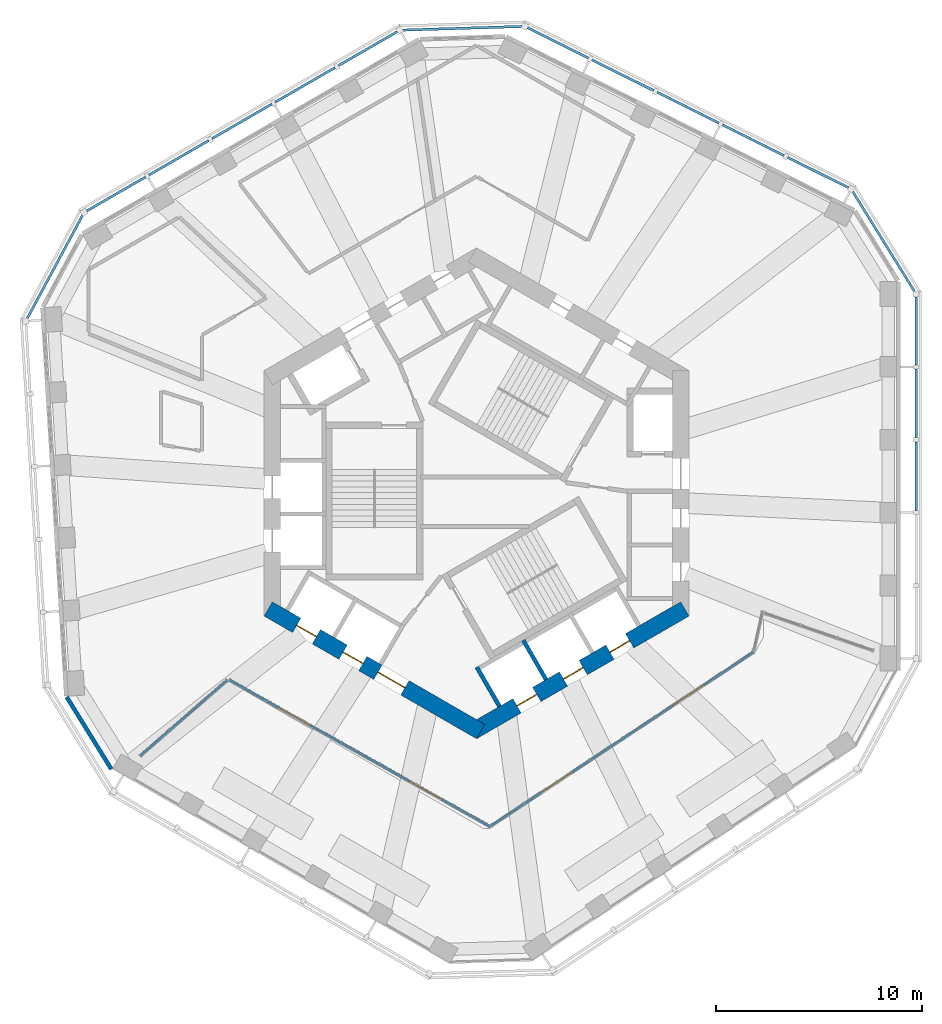
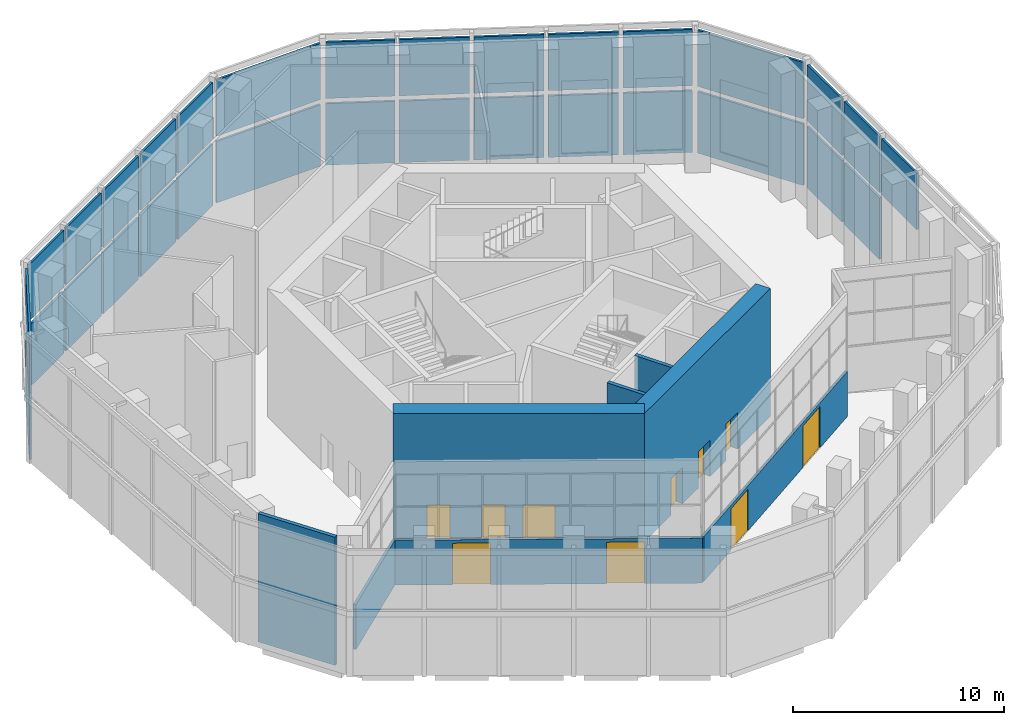
# One storey, part 8 of 17: 31 plates, 10 doors, 8 walls, 10 openings, 6 elements without a shape of their own.
"""IFC4 building model written with IfcOpenShell, lengths in metres."""

from ifc_helpers import new_model, si_unit, direction, frame, frame_2d, origin, origin_2d, place, context, subcontext, project, spatial, rectangle, extrude, material, layer, layer_set, type_object, element, fill, aggregate, save


model = new_model("IFC4")

# Units and contexts
model_context = context("Model", 3, precision=1e-05, world=origin(), true_north=direction((0.0, 1.0)))
body_context = subcontext(model_context, "Body", "Model", "MODEL_VIEW")
ifc_project = project(units=[si_unit("LENGTHUNIT", "METRE"), si_unit("AREAUNIT", "SQUARE_METRE"), si_unit("VOLUMEUNIT", "CUBIC_METRE"), si_unit("PLANEANGLEUNIT", "RADIAN"), si_unit("MASSUNIT", "GRAM", prefix="KILO")], contexts=[model_context])

# Site, building, storey
site_placement = place(None, origin())
site = spatial("IfcSite", under=ifc_project, at=site_placement, CompositionType="ELEMENT")
building_placement = place(site_placement, origin())
building = spatial("IfcBuilding", under=site, at=building_placement, Name="Vanh Sen Convention Tower", CompositionType="ELEMENT")
storey_placement = place(building_placement, frame((0.0, 0.0, 214.300048828125)))
storey = spatial("IfcBuildingStorey", under=building, at=storey_placement, Name="L53", CompositionType="ELEMENT", Elevation=214.300048828125)

# Curtain wall, plates
ifc_material_1 = material(Name="Concrete C50/60", Category="concrete")
curtain_wall_type = type_object("IfcCurtainWallType", Name="Outer skin office zone", PredefinedType="NOTDEFINED", material=ifc_material_1)
curtain_wall_1_placement = place(storey_placement, origin())
curtain_wall_1 = element("IfcCurtainWall", 1, at=curtain_wall_1_placement, inside=storey, type_object=curtain_wall_type, Name="OUTER SKIN E L53", PredefinedType="NOTDEFINED")
ifc_layer_1 = layer(ifc_material_1, 0.1201171875)
ifc_layer_set_1 = layer_set([ifc_layer_1], Name="Concrete C50/60")
plate_type = type_object("IfcPlateType", Name="Outer skin precast screen panel 120", PredefinedType="CURTAIN_PANEL", material=ifc_layer_set_1)
plate_1_placement = place(storey_placement, frame((21.300048828125, 0.831298828125, 3.849853515625), z_axis=(0.0, 0.0, 1.0), x_axis=(0.0, 1.0, 0.0)))
plate_1 = element("IfcPlate", 2, at=plate_1_placement, type_object=plate_type, Name="OUTER SKIN screen panel E-3", PredefinedType="CURTAIN_PANEL", context=body_context, shape_type="SweptSolid", body=[
    extrude(rectangle(XDim=3.33349609375, YDim=0.1201171875, at=origin_2d()), origin(), (0.0, 0.0, 1.0), 3.25),
])
plate_2_placement = place(storey_placement, frame((21.300048828125, 4.364990234375, 0.0), z_axis=(0.0, 0.0, 1.0), x_axis=(0.0, 1.0, 0.0)))
plate_2 = element("IfcPlate", 3, at=plate_2_placement, type_object=plate_type, Name="OUTER SKIN screen panel E-4", PredefinedType="CURTAIN_PANEL", context=body_context, shape_type="SweptSolid", body=[
    extrude(rectangle(XDim=3.33349609375, YDim=0.1201171875, at=origin_2d()), origin(), (0.0, 0.0, 1.0), 3.550048828125),
])
plate_3_placement = place(storey_placement, frame((21.300048828125, 4.364990234375, 3.849853515625), z_axis=(0.0, 0.0, 1.0), x_axis=(0.0, 1.0, 0.0)))
plate_3 = element("IfcPlate", 4, at=plate_3_placement, type_object=plate_type, Name="OUTER SKIN screen panel E-4", PredefinedType="CURTAIN_PANEL", context=body_context, shape_type="SweptSolid", body=[
    extrude(rectangle(XDim=3.33349609375, YDim=0.1201171875, at=origin_2d()), origin(), (0.0, 0.0, 1.0), 3.25),
])
plate_4_placement = place(storey_placement, frame((21.300048828125, 7.87353515625, 0.0), z_axis=(0.0, 0.0, 1.0), x_axis=(0.0, 1.0, 0.0)))
plate_4 = element("IfcPlate", 5, at=plate_4_placement, type_object=plate_type, Name="OUTER SKIN screen panel E-5", PredefinedType="CURTAIN_PANEL", context=body_context, shape_type="SweptSolid", body=[
    extrude(rectangle(XDim=3.28369140625, YDim=0.1201171875, at=origin_2d()), origin(), (0.0, 0.0, 1.0), 3.550048828125),
])
plate_5_placement = place(storey_placement, frame((21.300048828125, 7.87353515625, 3.849853515625), z_axis=(0.0, 0.0, 1.0), x_axis=(0.0, 1.0, 0.0)))
plate_5 = element("IfcPlate", 6, at=plate_5_placement, type_object=plate_type, Name="OUTER SKIN screen panel E-5", PredefinedType="CURTAIN_PANEL", context=body_context, shape_type="SweptSolid", body=[
    extrude(rectangle(XDim=3.28369140625, YDim=0.1201171875, at=origin_2d()), origin(), (0.0, 0.0, 1.0), 3.25),
])
aggregate(curtain_wall_1, [plate_1, plate_2, plate_3, plate_4, plate_5])

curtain_wall_2_placement = place(storey_placement, origin())
curtain_wall_2 = element("IfcCurtainWall", 7, at=curtain_wall_2_placement, inside=storey, type_object=curtain_wall_type, Name="OUTER SKIN CH1 L53", PredefinedType="NOTDEFINED")
plate_6_placement = place(storey_placement, frame((19.726806640625, 12.20751953125, 0.0), z_axis=(0.0, 0.0, 1.0), x_axis=(-0.526216891938, 0.850350388157, 0.0)))
plate_6 = element("IfcPlate", 8, at=plate_6_placement, type_object=plate_type, Name="OUTER SKIN screen panel CH1-1", PredefinedType="CURTAIN_PANEL", context=body_context, shape_type="SweptSolid", body=[
    extrude(rectangle(XDim=5.6787109375, YDim=0.1201171875, at=origin_2d()), origin(), (0.0, 0.0, 1.0), 3.550048828125),
])
plate_7_placement = place(storey_placement, frame((19.726806640625, 12.20751953125, 3.849853515625), z_axis=(0.0, 0.0, 1.0), x_axis=(-0.526216891938, 0.850350388157, 0.0)))
plate_7 = element("IfcPlate", 9, at=plate_7_placement, type_object=plate_type, Name="OUTER SKIN screen panel CH1-1", PredefinedType="CURTAIN_PANEL", context=body_context, shape_type="SweptSolid", body=[
    extrude(rectangle(XDim=5.6787109375, YDim=0.1201171875, at=origin_2d()), origin(), (0.0, 0.0, 1.0), 3.25),
])
aggregate(curtain_wall_2, [plate_6, plate_7])

curtain_wall_3_placement = place(storey_placement, origin())
curtain_wall_3 = element("IfcCurtainWall", 10, at=curtain_wall_3_placement, inside=storey, type_object=curtain_wall_type, Name="OUTER SKIN NE L53", PredefinedType="NOTDEFINED")
plate_8_placement = place(storey_placement, frame((16.55029296875, 15.549072265625, 0.0), z_axis=(0.0, 0.0, 1.0), x_axis=(-0.894930467757, 0.446205622868, 0.0)))
plate_8 = element("IfcPlate", 11, at=plate_8_placement, type_object=plate_type, Name="OUTER SKIN screen panel NE-1", PredefinedType="CURTAIN_PANEL", context=body_context, shape_type="SweptSolid", body=[
    extrude(rectangle(XDim=3.28369140625, YDim=0.1201171875, at=origin_2d()), origin(), (0.0, 0.0, 1.0), 3.550048828125),
])
plate_9_placement = place(storey_placement, frame((16.55029296875, 15.549072265625, 3.849853515625), z_axis=(0.0, 0.0, 1.0), x_axis=(-0.894930467757, 0.446205622868, 0.0)))
plate_9 = element("IfcPlate", 12, at=plate_9_placement, type_object=plate_type, Name="OUTER SKIN screen panel NE-1", PredefinedType="CURTAIN_PANEL", context=body_context, shape_type="SweptSolid", body=[
    extrude(rectangle(XDim=3.28369140625, YDim=0.1201171875, at=origin_2d()), origin(), (0.0, 0.0, 1.0), 3.25),
])
plate_10_placement = place(storey_placement, frame((13.410400390625, 17.114501953125, 0.0), z_axis=(0.0, 0.0, 1.0), x_axis=(-0.894935919121, 0.446194689197, 0.0)))
plate_10 = element("IfcPlate", 13, at=plate_10_placement, type_object=plate_type, Name="OUTER SKIN screen panel NE-2", PredefinedType="CURTAIN_PANEL", context=body_context, shape_type="SweptSolid", body=[
    extrude(rectangle(XDim=3.333740234375, YDim=0.1201171875, at=origin_2d()), origin(), (0.0, 0.0, 1.0), 3.550048828125),
])
plate_11_placement = place(storey_placement, frame((13.410400390625, 17.114501953125, 3.849853515625), z_axis=(0.0, 0.0, 1.0), x_axis=(-0.894935919121, 0.446194689197, 0.0)))
plate_11 = element("IfcPlate", 14, at=plate_11_placement, type_object=plate_type, Name="OUTER SKIN screen panel NE-2", PredefinedType="CURTAIN_PANEL", context=body_context, shape_type="SweptSolid", body=[
    extrude(rectangle(XDim=3.333740234375, YDim=0.1201171875, at=origin_2d()), origin(), (0.0, 0.0, 1.0), 3.25),
])
plate_12_placement = place(storey_placement, frame((10.248046875, 18.691162109375, 0.0), z_axis=(0.0, 0.0, 1.0), x_axis=(-0.894935919121, 0.446194689197, 0.0)))
plate_12 = element("IfcPlate", 15, at=plate_12_placement, type_object=plate_type, Name="OUTER SKIN screen panel NE-3", PredefinedType="CURTAIN_PANEL", context=body_context, shape_type="SweptSolid", body=[
    extrude(rectangle(XDim=3.333740234375, YDim=0.1201171875, at=origin_2d()), origin(), (0.0, 0.0, 1.0), 3.550048828125),
])
plate_13_placement = place(storey_placement, frame((10.248046875, 18.691162109375, 3.849853515625), z_axis=(0.0, 0.0, 1.0), x_axis=(-0.894935919121, 0.446194689197, 0.0)))
plate_13 = element("IfcPlate", 16, at=plate_13_placement, type_object=plate_type, Name="OUTER SKIN screen panel NE-3", PredefinedType="CURTAIN_PANEL", context=body_context, shape_type="SweptSolid", body=[
    extrude(rectangle(XDim=3.333740234375, YDim=0.1201171875, at=origin_2d()), origin(), (0.0, 0.0, 1.0), 3.25),
])
plate_14_placement = place(storey_placement, frame((7.085693359375, 20.267822265625, 0.0), z_axis=(0.0, 0.0, 1.0), x_axis=(-0.894935919121, 0.446194689197, 0.0)))
plate_14 = element("IfcPlate", 17, at=plate_14_placement, type_object=plate_type, Name="OUTER SKIN screen panel NE-4", PredefinedType="CURTAIN_PANEL", context=body_context, shape_type="SweptSolid", body=[
    extrude(rectangle(XDim=3.333740234375, YDim=0.1201171875, at=origin_2d()), origin(), (0.0, 0.0, 1.0), 3.550048828125),
])
plate_15_placement = place(storey_placement, frame((7.085693359375, 20.267822265625, 3.849853515625), z_axis=(0.0, 0.0, 1.0), x_axis=(-0.894935919121, 0.446194689197, 0.0)))
plate_15 = element("IfcPlate", 18, at=plate_15_placement, type_object=plate_type, Name="OUTER SKIN screen panel NE-4", PredefinedType="CURTAIN_PANEL", context=body_context, shape_type="SweptSolid", body=[
    extrude(rectangle(XDim=3.333740234375, YDim=0.1201171875, at=origin_2d()), origin(), (0.0, 0.0, 1.0), 3.25),
])
plate_16_placement = place(storey_placement, frame((3.945556640625, 21.83349609375, 0.0), z_axis=(0.0, 0.0, 1.0), x_axis=(-0.894930467757, 0.446205622868, 0.0)))
plate_16 = element("IfcPlate", 19, at=plate_16_placement, type_object=plate_type, Name="OUTER SKIN screen panel NE-5", PredefinedType="CURTAIN_PANEL", context=body_context, shape_type="SweptSolid", body=[
    extrude(rectangle(XDim=3.28369140625, YDim=0.1201171875, at=origin_2d()), origin(), (0.0, 0.0, 1.0), 3.550048828125),
])
plate_17_placement = place(storey_placement, frame((3.945556640625, 21.83349609375, 3.849853515625), z_axis=(0.0, 0.0, 1.0), x_axis=(-0.894930467757, 0.446205622868, 0.0)))
plate_17 = element("IfcPlate", 20, at=plate_17_placement, type_object=plate_type, Name="OUTER SKIN screen panel NE-5", PredefinedType="CURTAIN_PANEL", context=body_context, shape_type="SweptSolid", body=[
    extrude(rectangle(XDim=3.28369140625, YDim=0.1201171875, at=origin_2d()), origin(), (0.0, 0.0, 1.0), 3.25),
])
aggregate(curtain_wall_3, [plate_8, plate_9, plate_10, plate_11, plate_12, plate_13, plate_14, plate_15, plate_16, plate_17])

curtain_wall_4_placement = place(storey_placement, origin())
curtain_wall_4 = element("IfcCurtainWall", 21, at=curtain_wall_4_placement, inside=storey, type_object=curtain_wall_type, Name="OUTER SKIN CH2 L53", PredefinedType="NOTDEFINED")
plate_18_placement = place(storey_placement, frame((-0.688720703125, 22.540283203125, 0.0), z_axis=(0.0, 0.0, 1.0), x_axis=(-0.999533430924, -0.030543746755, 0.0)))
plate_18 = element("IfcPlate", 22, at=plate_18_placement, type_object=plate_type, Name="OUTER SKIN screen panel CH2-1", PredefinedType="CURTAIN_PANEL", context=body_context, shape_type="SweptSolid", body=[
    extrude(rectangle(XDim=5.764404296875, YDim=0.1201171875, at=origin_2d()), origin(), (0.0, 0.0, 1.0), 3.550048828125),
])
plate_19_placement = place(storey_placement, frame((-0.688720703125, 22.540283203125, 3.849853515625), z_axis=(0.0, 0.0, 1.0), x_axis=(-0.999533430924, -0.030543746755, 0.0)))
plate_19 = element("IfcPlate", 23, at=plate_19_placement, type_object=plate_type, Name="OUTER SKIN screen panel CH2-1", PredefinedType="CURTAIN_PANEL", context=body_context, shape_type="SweptSolid", body=[
    extrude(rectangle(XDim=5.764404296875, YDim=0.1201171875, at=origin_2d()), origin(), (0.0, 0.0, 1.0), 3.25),
])
aggregate(curtain_wall_4, [plate_18, plate_19])

curtain_wall_5_placement = place(storey_placement, origin())
curtain_wall_5 = element("IfcCurtainWall", 24, at=curtain_wall_5_placement, inside=storey, type_object=curtain_wall_type, Name="OUTER SKIN NW L53", PredefinedType="NOTDEFINED")
plate_20_placement = place(storey_placement, frame((-5.271240234375, 21.5517578125, 0.0), z_axis=(0.0, 0.0, 1.0), x_axis=(-0.866026276448, -0.4999984885, 0.0)))
plate_20 = element("IfcPlate", 25, at=plate_20_placement, type_object=plate_type, Name="OUTER SKIN screen panel NW-1", PredefinedType="CURTAIN_PANEL", context=body_context, shape_type="SweptSolid", body=[
    extrude(rectangle(XDim=3.28369140625, YDim=0.1201171875, at=origin_2d()), origin(), (0.0, 0.0, 1.0), 3.550048828125),
])
plate_21_placement = place(storey_placement, frame((-5.271240234375, 21.5517578125, 3.849853515625), z_axis=(0.0, 0.0, 1.0), x_axis=(-0.866026276448, -0.4999984885, 0.0)))
plate_21 = element("IfcPlate", 26, at=plate_21_placement, type_object=plate_type, Name="OUTER SKIN screen panel NW-1", PredefinedType="CURTAIN_PANEL", context=body_context, shape_type="SweptSolid", body=[
    extrude(rectangle(XDim=3.28369140625, YDim=0.1201171875, at=origin_2d()), origin(), (0.0, 0.0, 1.0), 3.25),
])
plate_22_placement = place(storey_placement, frame((-8.309814453125, 19.797607421875, 0.0), z_axis=(0.0, 0.0, 1.0), x_axis=(-0.866026276448, -0.4999984885, 0.0)))
plate_22 = element("IfcPlate", 27, at=plate_22_placement, type_object=plate_type, Name="OUTER SKIN screen panel NW-2", PredefinedType="CURTAIN_PANEL", context=body_context, shape_type="SweptSolid", body=[
    extrude(rectangle(XDim=3.33349609375, YDim=0.1201171875, at=origin_2d()), origin(), (0.0, 0.0, 1.0), 3.550048828125),
])
plate_23_placement = place(storey_placement, frame((-8.309814453125, 19.797607421875, 3.849853515625), z_axis=(0.0, 0.0, 1.0), x_axis=(-0.866026276448, -0.4999984885, 0.0)))
plate_23 = element("IfcPlate", 28, at=plate_23_placement, type_object=plate_type, Name="OUTER SKIN screen panel NW-2", PredefinedType="CURTAIN_PANEL", context=body_context, shape_type="SweptSolid", body=[
    extrude(rectangle(XDim=3.33349609375, YDim=0.1201171875, at=origin_2d()), origin(), (0.0, 0.0, 1.0), 3.25),
])
plate_24_placement = place(storey_placement, frame((-11.369873046875, 18.03076171875, 0.0), z_axis=(0.0, 0.0, 1.0), x_axis=(-0.866026276448, -0.4999984885, 0.0)))
plate_24 = element("IfcPlate", 29, at=plate_24_placement, type_object=plate_type, Name="OUTER SKIN screen panel NW-3", PredefinedType="CURTAIN_PANEL", context=body_context, shape_type="SweptSolid", body=[
    extrude(rectangle(XDim=3.33349609375, YDim=0.1201171875, at=origin_2d()), origin(), (0.0, 0.0, 1.0), 3.550048828125),
])
plate_25_placement = place(storey_placement, frame((-11.369873046875, 18.03076171875, 3.849853515625), z_axis=(0.0, 0.0, 1.0), x_axis=(-0.866026276448, -0.4999984885, 0.0)))
plate_25 = element("IfcPlate", 30, at=plate_25_placement, type_object=plate_type, Name="OUTER SKIN screen panel NW-3", PredefinedType="CURTAIN_PANEL", context=body_context, shape_type="SweptSolid", body=[
    extrude(rectangle(XDim=3.33349609375, YDim=0.1201171875, at=origin_2d()), origin(), (0.0, 0.0, 1.0), 3.25),
])
plate_26_placement = place(storey_placement, frame((-14.43017578125, 16.263916015625, 0.0), z_axis=(0.0, 0.0, 1.0), x_axis=(-0.866014058921, -0.500019649364, 0.0)))
plate_26 = element("IfcPlate", 31, at=plate_26_placement, type_object=plate_type, Name="OUTER SKIN screen panel NW-4", PredefinedType="CURTAIN_PANEL", context=body_context, shape_type="SweptSolid", body=[
    extrude(rectangle(XDim=3.333740234375, YDim=0.1201171875, at=origin_2d()), origin(), (0.0, 0.0, 1.0), 3.550048828125),
])
plate_27_placement = place(storey_placement, frame((-14.43017578125, 16.263916015625, 3.849853515625), z_axis=(0.0, 0.0, 1.0), x_axis=(-0.866014058921, -0.500019649364, 0.0)))
plate_27 = element("IfcPlate", 32, at=plate_27_placement, type_object=plate_type, Name="OUTER SKIN screen panel NW-4", PredefinedType="CURTAIN_PANEL", context=body_context, shape_type="SweptSolid", body=[
    extrude(rectangle(XDim=3.333740234375, YDim=0.1201171875, at=origin_2d()), origin(), (0.0, 0.0, 1.0), 3.25),
])
plate_28_placement = place(storey_placement, frame((-17.46875, 14.509521484375, 0.0), z_axis=(0.0, 0.0, 1.0), x_axis=(-0.866033257659, -0.499986396443, 0.0)))
plate_28 = element("IfcPlate", 33, at=plate_28_placement, type_object=plate_type, Name="OUTER SKIN screen panel NW-5", PredefinedType="CURTAIN_PANEL", context=body_context, shape_type="SweptSolid", body=[
    extrude(rectangle(XDim=3.28369140625, YDim=0.1201171875, at=origin_2d()), origin(), (0.0, 0.0, 1.0), 3.550048828125),
])
plate_29_placement = place(storey_placement, frame((-17.46875, 14.509521484375, 3.849853515625), z_axis=(0.0, 0.0, 1.0), x_axis=(-0.866033257659, -0.499986396443, 0.0)))
plate_29 = element("IfcPlate", 34, at=plate_29_placement, type_object=plate_type, Name="OUTER SKIN screen panel NW-5", PredefinedType="CURTAIN_PANEL", context=body_context, shape_type="SweptSolid", body=[
    extrude(rectangle(XDim=3.28369140625, YDim=0.1201171875, at=origin_2d()), origin(), (0.0, 0.0, 1.0), 3.25),
])
aggregate(curtain_wall_5, [plate_20, plate_21, plate_22, plate_23, plate_24, plate_25, plate_26, plate_27, plate_28, plate_29])

curtain_wall_6_placement = place(storey_placement, origin())
curtain_wall_6 = element("IfcCurtainWall", 35, at=curtain_wall_6_placement, inside=storey, type_object=curtain_wall_type, Name="OUTER SKIN CH3 L53", PredefinedType="NOTDEFINED")
plate_30_placement = place(storey_placement, frame((-20.435302734375, 10.980224609375, 0.0), z_axis=(0.0, 0.0, 1.0), x_axis=(-0.473307367584, -0.880897346909, 0.0)))
plate_30 = element("IfcPlate", 36, at=plate_30_placement, type_object=plate_type, Name="OUTER SKIN screen panel CH3-1", PredefinedType="CURTAIN_PANEL", context=body_context, shape_type="SweptSolid", body=[
    extrude(rectangle(XDim=5.6787109375, YDim=0.1201171875, at=origin_2d()), origin(), (0.0, 0.0, 1.0), 3.550048828125),
])
plate_31_placement = place(storey_placement, frame((-20.435302734375, 10.980224609375, 3.849853515625), z_axis=(0.0, 0.0, 1.0), x_axis=(-0.473307367584, -0.880897346909, 0.0)))
plate_31 = element("IfcPlate", 37, at=plate_31_placement, type_object=plate_type, Name="OUTER SKIN screen panel CH3-1", PredefinedType="CURTAIN_PANEL", context=body_context, shape_type="SweptSolid", body=[
    extrude(rectangle(XDim=5.6787109375, YDim=0.1201171875, at=origin_2d()), origin(), (0.0, 0.0, 1.0), 3.25),
])
aggregate(curtain_wall_6, [plate_30, plate_31])

# Wall, openings, doors
ifc_material_2 = material(Name="Concrete C60/75", Category="concrete")
ifc_layer_2 = layer(ifc_material_2, 0.800048828125)
ifc_layer_set_2 = layer_set([ifc_layer_2], Name="Concrete C60/75")
wall_type_1 = type_object("IfcWallType", Name="Core outer wall 800 C60/75", PredefinedType="SHEAR", material=ifc_layer_set_2)
wall_1_placement = place(storey_placement, frame((-10.10009765625, -5.600341796875, 0.0), z_axis=(0.0, 0.0, 1.0), x_axis=(0.866023897231, -0.500002609418, 0.0)))
wall_1 = element("IfcWall", 38, at=wall_1_placement, inside=storey, type_object=wall_type_1, Name="Core wall face SW L53", PredefinedType="SHEAR", context=body_context, shape_type="SweptSolid", body=[
    extrude(rectangle(XDim=11.8935546875, YDim=0.800048828125, at=frame_2d((5.94677734375, 0.0))), origin(), (0.0, 0.0, 1.0), 7.39990234375),
])
opening_1_placement = place(wall_1_placement, frame((6.146728515625, 0.0, 0.0)))
opening_1 = element("IfcOpeningElement", 39, at=opening_1_placement, cuts=wall_1, Name="Opening D53003", PredefinedType="OPENING", context=body_context, shape_type="SweptSolid", body=[
    extrude(rectangle(XDim=1.5, YDim=2.10009765625, at=frame_2d((0.75, 1.050048828125))), frame((0.0, 0.409912109375, 0.0), z_axis=(0.0, -1.0, 0.0), x_axis=(1.0, 0.0, 0.0)), (0.0, 0.0, 1.0), 0.820068359375),
])
opening_2_placement = place(wall_1_placement, frame((1.5966796875, 0.0, 0.0)))
opening_2 = element("IfcOpeningElement", 40, at=opening_2_placement, cuts=wall_1, Name="Opening LD-HR3", PredefinedType="OPENING", context=body_context, shape_type="SweptSolid", body=[
    extrude(rectangle(XDim=1.10009765625, YDim=2.10009765625, at=frame_2d((0.550048828125, 1.050048828125))), frame((0.0, 0.409912109375, 0.0), z_axis=(0.0, -1.0, 0.0), x_axis=(1.0, 0.0, 0.0)), (0.0, 0.0, 1.0), 0.820068359375),
])
opening_3_placement = place(wall_1_placement, frame((4.19677734375, 0.0, 0.0)))
opening_3 = element("IfcOpeningElement", 41, at=opening_3_placement, cuts=wall_1, Name="Opening LD-HR4", PredefinedType="OPENING", context=body_context, shape_type="SweptSolid", body=[
    extrude(rectangle(XDim=1.10009765625, YDim=2.10009765625, at=frame_2d((0.550048828125, 1.050048828125))), frame((0.0, 0.409912109375, 0.0), z_axis=(0.0, -1.0, 0.0), x_axis=(1.0, 0.0, 0.0)), (0.0, 0.0, 1.0), 0.820068359375),
])
ifc_material_3 = material(Name="Stainless steel", Category="steel")
door_type_1 = type_object("IfcDoorType", Name="Lift landing door 1100", OperationType="DOUBLE_DOOR_SLIDING", PredefinedType="DOOR", material=ifc_material_3)
door_1_placement = place(opening_2_placement, origin())
door_1 = element("IfcDoor", 42, at=door_1_placement, inside=storey, type_object=door_type_1, Name="Lift HR3 landing door LD-HR3", OperationType="DOUBLE_DOOR_SLIDING", OverallHeight=2.10009765625, OverallWidth=1.10009765625, PredefinedType="DOOR", context=body_context, shape_type="SweptSolid", body=[
    extrude(rectangle(XDim=1.10009765625, YDim=2.10009765625, at=frame_2d((0.550048828125, 1.050048828125))), frame((0.0, 0.02490234375, 0.0), z_axis=(0.0, -1.0, 0.0), x_axis=(1.0, 0.0, 0.0)), (0.0, 0.0, 1.0), 0.050048828125),
])
fill(opening_2, door_1)
door_2_placement = place(opening_3_placement, origin())
door_2 = element("IfcDoor", 43, at=door_2_placement, inside=storey, type_object=door_type_1, Name="Lift HR4 landing door LD-HR4", OperationType="DOUBLE_DOOR_SLIDING", OverallHeight=2.10009765625, OverallWidth=1.10009765625, PredefinedType="DOOR", context=body_context, shape_type="SweptSolid", body=[
    extrude(rectangle(XDim=1.10009765625, YDim=2.10009765625, at=frame_2d((0.550048828125, 1.050048828125))), frame((0.0, 0.02490234375, 0.0), z_axis=(0.0, -1.0, 0.0), x_axis=(1.0, 0.0, 0.0)), (0.0, 0.0, 1.0), 0.050048828125),
])
fill(opening_3, door_2)
ifc_material_4 = material(Name="Steel S355", Category="steel")
door_type_2 = type_object("IfcDoorType", Name="Stair lobby door 1500", OperationType="DOUBLE_DOOR_SINGLE_SWING", PredefinedType="DOOR", material=ifc_material_4)
door_3_placement = place(opening_1_placement, origin())
door_3 = element("IfcDoor", 44, at=door_3_placement, inside=storey, type_object=door_type_2, Name="Stair lobby door D53003", OperationType="DOUBLE_DOOR_SINGLE_SWING", OverallHeight=2.10009765625, OverallWidth=1.5, PredefinedType="DOOR", context=body_context, shape_type="SweptSolid", body=[
    extrude(rectangle(XDim=1.5, YDim=2.10009765625, at=frame_2d((0.75, 1.050048828125))), frame((0.0, 0.02490234375, 0.0), z_axis=(0.0, -1.0, 0.0), x_axis=(1.0, 0.0, 0.0)), (0.0, 0.0, 1.0), 0.050048828125),
])
fill(opening_1, door_3)

wall_2_placement = place(storey_placement, frame((-0.199951171875, -11.547119140625, 0.0), z_axis=(0.0, 0.0, 1.0), x_axis=(0.866023897231, 0.500002609418, 0.0)))
wall_2 = element("IfcWall", 45, at=wall_2_placement, inside=storey, type_object=wall_type_1, Name="Core wall face SE L53", PredefinedType="SHEAR", context=body_context, shape_type="SweptSolid", body=[
    extrude(rectangle(XDim=11.8935546875, YDim=0.800048828125, at=frame_2d((5.94677734375, 0.0))), origin(), (0.0, 0.0, 1.0), 7.39990234375),
])
opening_4_placement = place(wall_2_placement, frame((2.49658203125, 0.0, 0.0)))
opening_4 = element("IfcOpeningElement", 46, at=opening_4_placement, cuts=wall_2, Name="Opening LD-HR5", PredefinedType="OPENING", context=body_context, shape_type="SweptSolid", body=[
    extrude(rectangle(XDim=1.10009765625, YDim=2.10009765625, at=frame_2d((0.550048828125, 1.050048828125))), frame((0.0, 0.409912109375, 0.0), z_axis=(0.0, -1.0, 0.0), x_axis=(1.0, 0.0, 0.0)), (0.0, 0.0, 1.0), 0.820068359375),
])
opening_5_placement = place(wall_2_placement, frame((5.0966796875, 0.0, 0.0)))
opening_5 = element("IfcOpeningElement", 47, at=opening_5_placement, cuts=wall_2, Name="Opening LD-HR6", PredefinedType="OPENING", context=body_context, shape_type="SweptSolid", body=[
    extrude(rectangle(XDim=1.10009765625, YDim=2.10009765625, at=frame_2d((0.550048828125, 1.050048828125))), frame((0.0, 0.409912109375, 0.0), z_axis=(0.0, -1.0, 0.0), x_axis=(1.0, 0.0, 0.0)), (0.0, 0.0, 1.0), 0.820068359375),
])
opening_6_placement = place(wall_2_placement, frame((7.69677734375, 0.0, 0.0)))
opening_6 = element("IfcOpeningElement", 48, at=opening_6_placement, cuts=wall_2, Name="Opening LD-SV1", PredefinedType="OPENING", context=body_context, shape_type="SweptSolid", body=[
    extrude(rectangle(XDim=1.10009765625, YDim=2.10009765625, at=frame_2d((0.550048828125, 1.050048828125))), frame((0.0, 0.409912109375, 0.0), z_axis=(0.0, -1.0, 0.0), x_axis=(1.0, 0.0, 0.0)), (0.0, 0.0, 1.0), 0.820068359375),
])
door_4_placement = place(opening_4_placement, origin())
door_4 = element("IfcDoor", 49, at=door_4_placement, inside=storey, type_object=door_type_1, Name="Lift HR5 landing door LD-HR5", OperationType="DOUBLE_DOOR_SLIDING", OverallHeight=2.10009765625, OverallWidth=1.10009765625, PredefinedType="DOOR", context=body_context, shape_type="SweptSolid", body=[
    extrude(rectangle(XDim=1.10009765625, YDim=2.10009765625, at=frame_2d((0.550048828125, 1.050048828125))), frame((0.0, 0.02490234375, 0.0), z_axis=(0.0, -1.0, 0.0), x_axis=(1.0, 0.0, 0.0)), (0.0, 0.0, 1.0), 0.050048828125),
])
fill(opening_4, door_4)
door_5_placement = place(opening_5_placement, origin())
door_5 = element("IfcDoor", 50, at=door_5_placement, inside=storey, type_object=door_type_1, Name="Lift HR6 landing door LD-HR6", OperationType="DOUBLE_DOOR_SLIDING", OverallHeight=2.10009765625, OverallWidth=1.10009765625, PredefinedType="DOOR", context=body_context, shape_type="SweptSolid", body=[
    extrude(rectangle(XDim=1.10009765625, YDim=2.10009765625, at=frame_2d((0.550048828125, 1.050048828125))), frame((0.0, 0.02490234375, 0.0), z_axis=(0.0, -1.0, 0.0), x_axis=(1.0, 0.0, 0.0)), (0.0, 0.0, 1.0), 0.050048828125),
])
fill(opening_5, door_5)
door_6_placement = place(opening_6_placement, origin())
door_6 = element("IfcDoor", 51, at=door_6_placement, inside=storey, type_object=door_type_1, Name="Lift SV1 landing door LD-SV1", OperationType="DOUBLE_DOOR_SLIDING", OverallHeight=2.10009765625, OverallWidth=1.10009765625, PredefinedType="DOOR", context=body_context, shape_type="SweptSolid", body=[
    extrude(rectangle(XDim=1.10009765625, YDim=2.10009765625, at=frame_2d((0.550048828125, 1.050048828125))), frame((0.0, 0.02490234375, 0.0), z_axis=(0.0, -1.0, 0.0), x_axis=(1.0, 0.0, 0.0)), (0.0, 0.0, 1.0), 0.050048828125),
])
fill(opening_6, door_6)

# Walls
ifc_material_5 = material(Name="Insulated lightweight infill wall")
ifc_layer_3 = layer(ifc_material_5, 0.199951171875)
ifc_layer_set_3 = layer_set([ifc_layer_3], Name="Insulated lightweight infill wall")
wall_type_2 = type_object("IfcWallType", Name="External wall 200", PredefinedType="STANDARD", material=ifc_layer_set_3)
wall_3_placement = place(storey_placement, frame((-19.872802734375, -9.869140625, 0.0), z_axis=(0.0, 0.0, 1.0), x_axis=(0.526230246673, -0.850342123787, 0.0)))
element("IfcWall", 52, at=wall_3_placement, inside=storey, type_object=wall_type_2, Name="External wall CH4-1 L53", PredefinedType="STANDARD", context=body_context, shape_type="SweptSolid", body=[
    extrude(rectangle(XDim=4.12255859375, YDim=0.199951171875, at=frame_2d((2.061279296875, 0.0))), origin(), (0.0, 0.0, 1.0), 7.39990234375),
])
ifc_material_6 = material(Name="Concrete C40/50", Category="concrete")
ifc_layer_4 = layer(ifc_material_6, 0.199951171875)
ifc_layer_set_4 = layer_set([ifc_layer_4], Name="Concrete C40/50")
wall_type_3 = type_object("IfcWallType", Name="Lift shaft wall 200", PredefinedType="PARTITIONING", material=ifc_layer_set_4)
for number, where, z_axis, x_axis, name in (
    (53, (0.0126953125, -8.422119140625, 0.0), (0.0, 0.0, 1.0), (0.500077893725, -0.86598042715, 0.0), "Lift shaft wall L53"),
    (54, (2.264404296875, -7.1220703125, 0.0), (0.0, 0.0, 1.0), (0.500077893725, -0.86598042715, 0.0), "Lift shaft wall L53"),
):
    element("IfcWall", number, at=place(storey_placement, frame(where, z_axis=z_axis, x_axis=x_axis)), inside=storey, type_object=wall_type_3, Name=name, PredefinedType="PARTITIONING", context=body_context, shape_type="SweptSolid", body=[
        extrude(rectangle(XDim=2.199951171875, YDim=0.199951171875, at=frame_2d((1.10009765625, 0.0))), origin(), (0.0, 0.0, 1.0), 7.119873046875),
    ])

# Wall, openings, doors
ifc_material_7 = material(Name="Aluminium-framed structural glazing with clear glass", Category="aluminium")
ifc_layer_5 = layer(ifc_material_7, 0.14990234375)
ifc_layer_set_5 = layer_set([ifc_layer_5], Name="Aluminium-framed structural glazing with clear glass")
wall_type_4 = type_object("IfcWallType", Name="Winter garden glazed wall 150", PredefinedType="STANDARD", material=ifc_layer_set_5)
wall_4_placement = place(storey_placement, frame((13.440185546875, -7.68310546875, 0.0), z_axis=(0.0, 0.0, 1.0), x_axis=(-0.833878347594, -0.551948277844, 0.0)))
wall_4 = element("IfcWall", 55, at=wall_4_placement, inside=storey, type_object=wall_type_4, Name="Winter garden wall 3 L53", PredefinedType="STANDARD", context=body_context, shape_type="SweptSolid", body=[
    extrude(rectangle(XDim=15.248779296875, YDim=0.14990234375, at=frame_2d((7.62451171875, 0.0))), origin(), (0.0, 0.0, 1.0), 2.599853515625),
])
opening_7_placement = place(wall_4_placement, frame((2.912109375, 0.0, 0.0)))
opening_7 = element("IfcOpeningElement", 56, at=opening_7_placement, cuts=wall_4, Name="Opening TD531", PredefinedType="OPENING", context=body_context, shape_type="SweptSolid", body=[
    extrude(rectangle(XDim=1.800048828125, YDim=2.39990234375, at=frame_2d((0.89990234375, 1.199951171875))), frame((0.0, 0.0849609375, 0.0), z_axis=(0.0, -1.0, 0.0), x_axis=(1.0, 0.0, 0.0)), (0.0, 0.0, 1.0), 0.169921875),
])
opening_8_placement = place(wall_4_placement, frame((10.53662109375, 0.0, 0.0)))
opening_8 = element("IfcOpeningElement", 57, at=opening_8_placement, cuts=wall_4, Name="Opening TD532", PredefinedType="OPENING", context=body_context, shape_type="SweptSolid", body=[
    extrude(rectangle(XDim=1.800048828125, YDim=2.39990234375, at=frame_2d((0.89990234375, 1.199951171875))), frame((0.0, 0.0849609375, 0.0), z_axis=(0.0, -1.0, 0.0), x_axis=(1.0, 0.0, 0.0)), (0.0, 0.0, 1.0), 0.169921875),
])
ifc_material_8 = material(Name="Aluminium frame with clear toughened glass", Category="aluminium")
door_type_3 = type_object("IfcDoorType", Name="Garden terrace door 1800 x 2400", OperationType="DOUBLE_DOOR_DOUBLE_SWING", PredefinedType="DOOR", material=ifc_material_8)
door_7_placement = place(opening_7_placement, origin())
door_7 = element("IfcDoor", 58, at=door_7_placement, inside=storey, type_object=door_type_3, Name="Garden terrace door TD531", OperationType="DOUBLE_DOOR_DOUBLE_SWING", OverallHeight=2.39990234375, OverallWidth=1.800048828125, PredefinedType="DOOR", context=body_context, shape_type="SweptSolid", body=[
    extrude(rectangle(XDim=1.800048828125, YDim=2.39990234375, at=frame_2d((0.89990234375, 1.199951171875))), frame((0.0, 0.02490234375, 0.0), z_axis=(0.0, -1.0, 0.0), x_axis=(1.0, 0.0, 0.0)), (0.0, 0.0, 1.0), 0.050048828125),
])
fill(opening_7, door_7)
door_8_placement = place(opening_8_placement, origin())
door_8 = element("IfcDoor", 59, at=door_8_placement, inside=storey, type_object=door_type_3, Name="Garden terrace door TD532", OperationType="DOUBLE_DOOR_DOUBLE_SWING", OverallHeight=2.39990234375, OverallWidth=1.800048828125, PredefinedType="DOOR", context=body_context, shape_type="SweptSolid", body=[
    extrude(rectangle(XDim=1.800048828125, YDim=2.39990234375, at=frame_2d((0.89990234375, 1.199951171875))), frame((0.0, 0.02490234375, 0.0), z_axis=(0.0, -1.0, 0.0), x_axis=(1.0, 0.0, 0.0)), (0.0, 0.0, 1.0), 0.050048828125),
])
fill(opening_8, door_8)

wall_5_placement = place(storey_placement, frame((0.690185546875, -16.171142578125, 0.0), z_axis=(0.0, 0.0, 1.0), x_axis=(-0.871655280677, 0.490119446326, 0.0)))
wall_5 = element("IfcWall", 60, at=wall_5_placement, inside=storey, type_object=wall_type_4, Name="Winter garden wall 4 L53", PredefinedType="STANDARD", context=body_context, shape_type="SweptSolid", body=[
    extrude(rectangle(XDim=14.5517578125, YDim=0.14990234375, at=frame_2d((7.27587890625, 0.0))), origin(), (0.0, 0.0, 1.0), 2.599853515625),
])
opening_9_placement = place(wall_5_placement, frame((2.73779296875, 0.0, 0.0)))
opening_9 = element("IfcOpeningElement", 61, at=opening_9_placement, cuts=wall_5, Name="Opening TD533", PredefinedType="OPENING", context=body_context, shape_type="SweptSolid", body=[
    extrude(rectangle(XDim=1.800048828125, YDim=2.39990234375, at=frame_2d((0.89990234375, 1.199951171875))), frame((0.0, 0.0849609375, 0.0), z_axis=(0.0, -1.0, 0.0), x_axis=(1.0, 0.0, 0.0)), (0.0, 0.0, 1.0), 0.169921875),
])
opening_10_placement = place(wall_5_placement, frame((10.013916015625, 0.0, 0.0)))
opening_10 = element("IfcOpeningElement", 62, at=opening_10_placement, cuts=wall_5, Name="Opening TD534", PredefinedType="OPENING", context=body_context, shape_type="SweptSolid", body=[
    extrude(rectangle(XDim=1.800048828125, YDim=2.39990234375, at=frame_2d((0.89990234375, 1.199951171875))), frame((0.0, 0.0849609375, 0.0), z_axis=(0.0, -1.0, 0.0), x_axis=(1.0, 0.0, 0.0)), (0.0, 0.0, 1.0), 0.169921875),
])
door_9_placement = place(opening_9_placement, origin())
door_9 = element("IfcDoor", 63, at=door_9_placement, inside=storey, type_object=door_type_3, Name="Garden terrace door TD533", OperationType="DOUBLE_DOOR_DOUBLE_SWING", OverallHeight=2.39990234375, OverallWidth=1.800048828125, PredefinedType="DOOR", context=body_context, shape_type="SweptSolid", body=[
    extrude(rectangle(XDim=1.800048828125, YDim=2.39990234375, at=frame_2d((0.89990234375, 1.199951171875))), frame((0.0, 0.02490234375, 0.0), z_axis=(0.0, -1.0, 0.0), x_axis=(1.0, 0.0, 0.0)), (0.0, 0.0, 1.0), 0.050048828125),
])
fill(opening_9, door_9)
door_10_placement = place(opening_10_placement, origin())
door_10 = element("IfcDoor", 64, at=door_10_placement, inside=storey, type_object=door_type_3, Name="Garden terrace door TD534", OperationType="DOUBLE_DOOR_DOUBLE_SWING", OverallHeight=2.39990234375, OverallWidth=1.800048828125, PredefinedType="DOOR", context=body_context, shape_type="SweptSolid", body=[
    extrude(rectangle(XDim=1.800048828125, YDim=2.39990234375, at=frame_2d((0.89990234375, 1.199951171875))), frame((0.0, 0.02490234375, 0.0), z_axis=(0.0, -1.0, 0.0), x_axis=(1.0, 0.0, 0.0)), (0.0, 0.0, 1.0), 0.050048828125),
])
fill(opening_10, door_10)

# Wall
wall_6_placement = place(storey_placement, frame((-12.07177734375, -9.047119140625, 0.0), z_axis=(0.0, 0.0, 1.0), x_axis=(-0.754779474902, -0.655978615708, 0.0)))
element("IfcWall", 65, at=wall_6_placement, inside=storey, type_object=wall_type_4, Name="Winter garden wall 5 L53", PredefinedType="STANDARD", context=body_context, shape_type="SweptSolid", body=[
    extrude(rectangle(XDim=5.619140625, YDim=0.14990234375, at=frame_2d((2.8095703125, 0.0))), origin(), (0.0, 0.0, 1.0), 2.599853515625),
])

save(model, "model.ifc")
